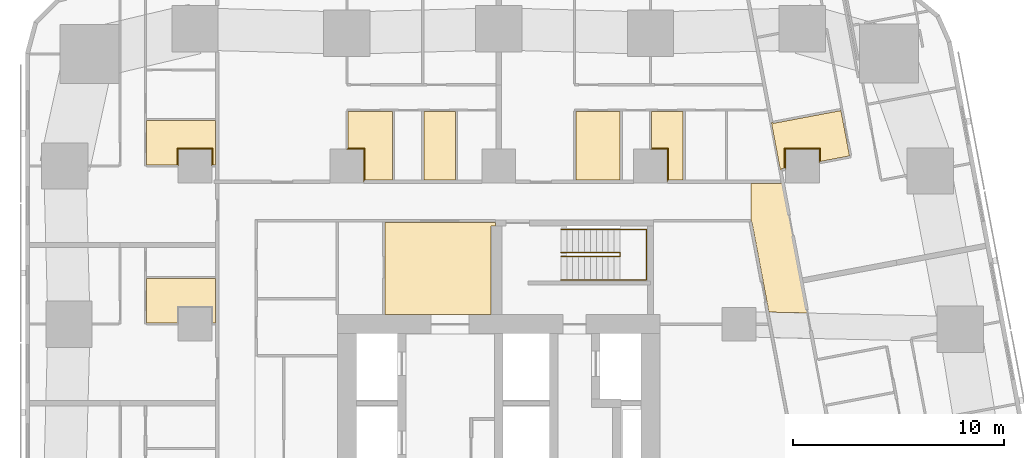
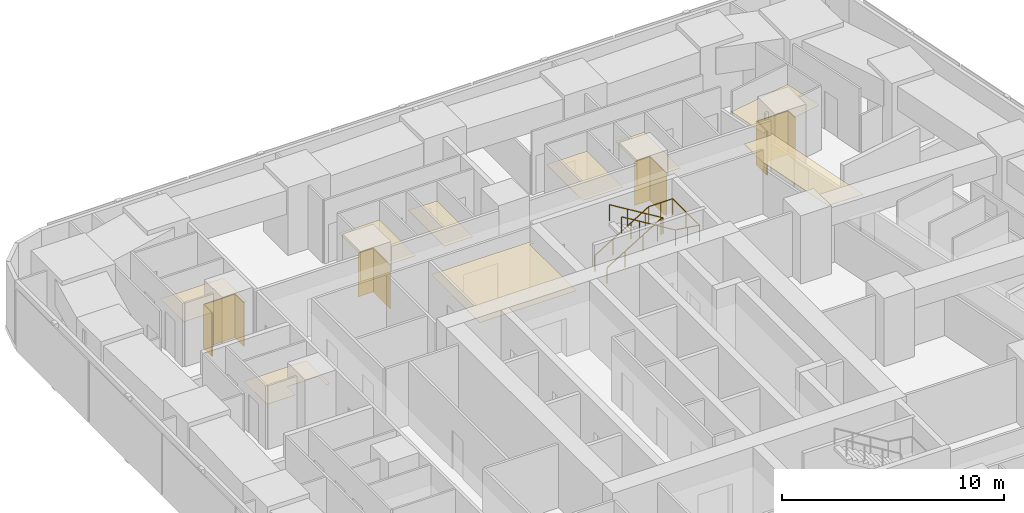
# One storey, part 15 of 15: 13 coverings, 2 railings.
"""IFC4 building model written with IfcOpenShell, lengths in metres."""

from ifc_helpers import new_model, si_unit, direction, frame, origin, origin_2d, place, context, subcontext, project, spatial, polyline, circle, outline, extrude, material, layer, layer_set, type_object, element, save


model = new_model("IFC4")

# Units and contexts
model_context = context("Model", 3, precision=1e-05, world=origin(), true_north=direction((0.0, 1.0)))
body_context = subcontext(model_context, "Body", "Model", "MODEL_VIEW")
ifc_project = project(units=[si_unit("LENGTHUNIT", "METRE"), si_unit("AREAUNIT", "SQUARE_METRE"), si_unit("VOLUMEUNIT", "CUBIC_METRE"), si_unit("PLANEANGLEUNIT", "RADIAN"), si_unit("MASSUNIT", "GRAM", prefix="KILO")], contexts=[model_context])

# Site, building, storey
site_placement = place(None, origin())
site = spatial("IfcSite", under=ifc_project, at=site_placement, CompositionType="ELEMENT")
building_placement = place(site_placement, origin())
building = spatial("IfcBuilding", under=site, at=building_placement, Name="Sheger Commons Tower", CompositionType="ELEMENT")
storey_placement = place(building_placement, frame((0.0, 0.0, 104.14990234375)))
storey = spatial("IfcBuildingStorey", under=building, at=storey_placement, Name="L26", CompositionType="ELEMENT", Elevation=104.14990234375)

# Railings
ifc_material_1 = material(Name="Steel handrail, black powder-coated", Category="steel")
railing_type = type_object("IfcRailingType", Name="HANDRAIL 900", PredefinedType="HANDRAIL", material=ifc_material_1)
railing_1_placement = place(storey_placement, frame((24.550048828125, 33.39990234375, 0.170654296875)))
element("IfcRailing", 1, at=railing_1_placement, inside=storey, type_object=railing_type, Name="Stair S2 handrail L26", PredefinedType="HANDRAIL", context=body_context, shape_type="SweptSolid", body=[
    extrude(circle(Radius=0.02392578125, at=origin_2d()), frame((0.0, 0.0, 0.8759765625), z_axis=(0.854202870247, 0.0, 0.519939858505), x_axis=(0.0, 1.0, 0.0)), (0.0, 0.0, 1.0), 3.278076171875),
    extrude(circle(Radius=0.02392578125, at=origin_2d()), frame((2.800048828125, 0.0, 2.580078125), z_axis=(0.0, -0.760631612298, 0.649183757016), x_axis=(1.0, 0.0, 0.0)), (0.0, 0.0, 1.0), 0.262939453125),
    extrude(circle(Radius=0.02392578125, at=origin_2d()), frame((2.800048828125, -0.199951171875, 2.7509765625), z_axis=(-0.854202870247, 0.0, 0.519939858505), x_axis=(0.0, -1.0, 0.0)), (0.0, 0.0, 1.0), 3.278076171875),
    extrude(circle(Radius=0.02099609375, at=origin_2d()), origin(), (0.0, 0.0, 1.0), 0.851806640625),
    extrude(circle(Radius=0.02099609375, at=origin_2d()), frame((0.933349609375, 0.0, 0.568115234375)), (0.0, 0.0, 1.0), 0.851806640625),
    extrude(circle(Radius=0.02099609375, at=origin_2d()), frame((1.86669921875, 0.0, 1.13623046875)), (0.0, 0.0, 1.0), 0.851806640625),
    extrude(circle(Radius=0.02099609375, at=origin_2d()), frame((2.800048828125, 0.0, 1.704345703125)), (0.0, 0.0, 1.0), 0.851806640625),
    extrude(circle(Radius=0.02099609375, at=origin_2d()), frame((2.800048828125, -0.199951171875, 1.875)), (0.0, 0.0, 1.0), 0.851806640625),
    extrude(circle(Radius=0.02099609375, at=origin_2d()), frame((1.86669921875, -0.199951171875, 2.443115234375)), (0.0, 0.0, 1.0), 0.851806640625),
    extrude(circle(Radius=0.02099609375, at=origin_2d()), frame((0.933349609375, -0.199951171875, 3.01123046875)), (0.0, 0.0, 1.0), 0.851806640625),
    extrude(circle(Radius=0.02099609375, at=origin_2d()), frame((0.0, -0.199951171875, 3.579345703125)), (0.0, 0.0, 1.0), 0.851806640625),
])
railing_2_placement = place(storey_placement, frame((24.550048828125, 34.5, 0.170654296875)))
element("IfcRailing", 2, at=railing_2_placement, inside=storey, type_object=railing_type, Name="Stair S2 handrail L26", PredefinedType="HANDRAIL", context=body_context, shape_type="SweptSolid", body=[
    extrude(circle(Radius=0.02392578125, at=origin_2d()), frame((0.0, 0.0, 0.8759765625), z_axis=(0.854202870247, 0.0, 0.519939858505), x_axis=(0.0, 1.0, 0.0)), (0.0, 0.0, 1.0), 3.278076171875),
    extrude(circle(Radius=0.02392578125, at=origin_2d()), frame((2.800048828125, 0.0, 2.580078125), z_axis=(1.0, 0.0, 0.0), x_axis=(0.0, 1.0, 0.0)), (0.0, 0.0, 1.0), 1.25),
    extrude(circle(Radius=0.02392578125, at=origin_2d()), frame((4.050048828125, 0.0, 2.580078125), z_axis=(0.0, -1.0, 0.0), x_axis=(1.0, 0.0, 0.0)), (0.0, 0.0, 1.0), 2.39990234375),
    extrude(circle(Radius=0.02392578125, at=origin_2d()), frame((4.050048828125, -2.39990234375, 2.580078125), z_axis=(-0.990808959222, 0.0, 0.135268645019), x_axis=(0.0, -1.0, 0.0)), (0.0, 0.0, 1.0), 1.261474609375),
    extrude(circle(Radius=0.02392578125, at=origin_2d()), frame((2.800048828125, -2.39990234375, 2.7509765625), z_axis=(-0.854202870247, 0.0, 0.519939858505), x_axis=(0.0, -1.0, 0.0)), (0.0, 0.0, 1.0), 3.278076171875),
    extrude(circle(Radius=0.02099609375, at=origin_2d()), origin(), (0.0, 0.0, 1.0), 0.851806640625),
    extrude(circle(Radius=0.02099609375, at=origin_2d()), frame((0.933349609375, 0.0, 0.568115234375)), (0.0, 0.0, 1.0), 0.851806640625),
    extrude(circle(Radius=0.02099609375, at=origin_2d()), frame((1.86669921875, 0.0, 1.13623046875)), (0.0, 0.0, 1.0), 0.851806640625),
    extrude(circle(Radius=0.02099609375, at=origin_2d()), frame((2.800048828125, 0.0, 1.704345703125)), (0.0, 0.0, 1.0), 0.851806640625),
    extrude(circle(Radius=0.02099609375, at=origin_2d()), frame((3.425048828125, 0.0, 1.704345703125)), (0.0, 0.0, 1.0), 0.851806640625),
    extrude(circle(Radius=0.02099609375, at=origin_2d()), frame((4.050048828125, 0.0, 1.704345703125)), (0.0, 0.0, 1.0), 0.851806640625),
    extrude(circle(Radius=0.02099609375, at=origin_2d()), frame((4.050048828125, -1.199951171875, 1.704345703125)), (0.0, 0.0, 1.0), 0.851806640625),
    extrude(circle(Radius=0.02099609375, at=origin_2d()), frame((4.050048828125, -2.39990234375, 1.704345703125)), (0.0, 0.0, 1.0), 0.851806640625),
    extrude(circle(Radius=0.02099609375, at=origin_2d()), frame((3.425048828125, -2.39990234375, 1.78955078125)), (0.0, 0.0, 1.0), 0.851806640625),
    extrude(circle(Radius=0.02099609375, at=origin_2d()), frame((2.800048828125, -2.39990234375, 1.875)), (0.0, 0.0, 1.0), 0.851806640625),
    extrude(circle(Radius=0.02099609375, at=origin_2d()), frame((1.86669921875, -2.39990234375, 2.443115234375)), (0.0, 0.0, 1.0), 0.851806640625),
    extrude(circle(Radius=0.02099609375, at=origin_2d()), frame((0.933349609375, -2.39990234375, 3.01123046875)), (0.0, 0.0, 1.0), 0.851806640625),
    extrude(circle(Radius=0.02099609375, at=origin_2d()), frame((0.0, -2.39990234375, 3.579345703125)), (0.0, 0.0, 1.0), 0.851806640625),
])

# Coverings
ifc_material_2 = material(Name="Moisture-resistant gypsum plasterboard 15 mm on a suspended galvanised steel grid", Category="steel")
ifc_layer_1 = layer(ifc_material_2, 0.014892578125)
ifc_layer_set_1 = layer_set([ifc_layer_1], Name="MOISTURE-RESISTANT CEILING 15")
covering_type_1 = type_object("IfcCoveringType", Name="MOISTURE-RESISTANT CEILING 15", PredefinedType="CEILING", material=ifc_layer_set_1)
covering_1_placement = place(storey_placement, frame((0.0, 0.0, 2.400146484375)))
element("IfcCovering", 3, at=covering_1_placement, inside=storey, type_object=covering_type_1, Name="L26-03.B1 ceiling", PredefinedType="CEILING", context=body_context, shape_type="SweptSolid", body=[
    extrude(outline(polyline([(4.905029296875, 30.054931640625), (6.39501953125, 30.054931640625), (6.39501953125, 30.804931640625), (8.0048828125, 30.804931640625), (8.0048828125, 30.054931640625), (8.169921875, 30.054931640625), (8.169921875, 32.155029296875), (4.905029296875, 32.155029296875), (4.905029296875, 30.054931640625)])), origin(), (0.0, 0.0, 1.0), 0.014892578125),
])
covering_2_placement = place(storey_placement, frame((0.0, 0.0, 2.400146484375)))
element("IfcCovering", 4, at=covering_2_placement, inside=storey, type_object=covering_type_1, Name="L26-04.B1 ceiling", PredefinedType="CEILING", context=body_context, shape_type="SweptSolid", body=[
    extrude(outline(polyline([(4.905029296875, 37.554931640625), (6.39501953125, 37.554931640625), (6.39501953125, 38.304931640625), (8.0048828125, 38.304931640625), (8.0048828125, 37.554931640625), (8.169921875, 37.554931640625), (8.169921875, 39.655029296875), (4.905029296875, 39.655029296875), (4.905029296875, 37.554931640625)])), origin(), (0.0, 0.0, 1.0), 0.014892578125),
])
covering_3_placement = place(storey_placement, frame((0.0, 0.0, 2.400146484375)))
element("IfcCovering", 5, at=covering_3_placement, inside=storey, type_object=covering_type_1, Name="L26-08.B1 ceiling", PredefinedType="CEILING", context=body_context, shape_type="SweptSolid", body=[
    extrude(outline(polyline([(34.9580078125, 37.302978515625), (35.027099609375, 37.31591796875), (35.01708984375, 37.3701171875), (35.18505859375, 37.402099609375), (35.193115234375, 37.35888671875), (35.195068359375, 37.35888671875), (35.195068359375, 38.304931640625), (36.804931640625, 38.304931640625), (36.804931640625, 37.7080078125), (38.23388671875, 37.97900390625), (37.827880859375, 40.126953125), (34.611083984375, 39.52001953125), (34.60107421875, 39.573974609375), (34.531982421875, 39.56103515625), (34.9580078125, 37.302978515625)])), origin(), (0.0, 0.0, 1.0), 0.014892578125),
])
covering_4_placement = place(storey_placement, frame((0.0, 0.0, 2.400146484375)))
element("IfcCovering", 6, at=covering_4_placement, inside=storey, type_object=covering_type_1, Name="L26-12.B1 ceiling", PredefinedType="CEILING", context=body_context, shape_type="SweptSolid", body=[
    extrude(outline(polyline([(15.205078125, 36.830078125), (16.554931640625, 36.830078125), (16.554931640625, 40.094970703125), (14.455078125, 40.094970703125), (14.455078125, 38.304931640625), (15.205078125, 38.304931640625), (15.205078125, 36.830078125)])), origin(), (0.0, 0.0, 1.0), 0.014892578125),
])
covering_5_placement = place(storey_placement, frame((0.0, 0.0, 2.400146484375)))
element("IfcCovering", 7, at=covering_5_placement, inside=storey, type_object=covering_type_1, Name="L26-12.B2 ceiling", PredefinedType="CEILING", context=body_context, shape_type="SweptSolid", body=[
    extrude(outline(polyline([(18.054931640625, 36.830078125), (19.544921875, 36.830078125), (19.544921875, 40.094970703125), (18.054931640625, 40.094970703125), (18.054931640625, 36.830078125)])), origin(), (0.0, 0.0, 1.0), 0.014892578125),
])
covering_6_placement = place(storey_placement, frame((0.0, 0.0, 2.400146484375)))
element("IfcCovering", 8, at=covering_6_placement, inside=storey, type_object=covering_type_1, Name="L26-13.B1 ceiling", PredefinedType="CEILING", context=body_context, shape_type="SweptSolid", body=[
    extrude(outline(polyline([(25.2548828125, 36.830078125), (27.35498046875, 36.830078125), (27.35498046875, 40.094970703125), (25.2548828125, 40.094970703125), (25.2548828125, 36.830078125)])), origin(), (0.0, 0.0, 1.0), 0.014892578125),
])
covering_7_placement = place(storey_placement, frame((0.0, 0.0, 2.400146484375)))
element("IfcCovering", 9, at=covering_7_placement, inside=storey, type_object=covering_type_1, Name="L26-13.B2 ceiling", PredefinedType="CEILING", context=body_context, shape_type="SweptSolid", body=[
    extrude(outline(polyline([(29.60498046875, 36.830078125), (30.344970703125, 36.830078125), (30.344970703125, 40.094970703125), (28.85498046875, 40.094970703125), (28.85498046875, 38.304931640625), (29.60498046875, 38.304931640625), (29.60498046875, 36.830078125)])), origin(), (0.0, 0.0, 1.0), 0.014892578125),
])
ifc_material_3 = material(Name="Gypsum plasterboard 15 mm on a suspended steel grid", Category="steel")
ifc_layer_2 = layer(ifc_material_3, 0.014892578125)
ifc_layer_set_2 = layer_set([ifc_layer_2], Name="SUSPENDED CEILING 15")
covering_type_2 = type_object("IfcCoveringType", Name="SUSPENDED CEILING 15", PredefinedType="CEILING", material=ifc_layer_set_2)
covering_8_placement = place(storey_placement, frame((0.0, 0.0, 2.7001953125)))
element("IfcCovering", 10, at=covering_8_placement, inside=storey, type_object=covering_type_2, Name="L26-CO ceiling", PredefinedType="CEILING", context=body_context, shape_type="SweptSolid", body=[
    extrude(outline(polyline([(36.237060546875, 30.531982421875), (35.06201171875, 36.75), (34.97802734375, 36.75), (34.97802734375, 36.669921875), (33.572998046875, 36.669921875), (33.572998046875, 34.947998046875), (33.571044921875, 34.947998046875), (33.589111328125, 34.85205078125), (33.60595703125, 34.85498046875), (34.4150390625, 30.572998046875), (36.237060546875, 30.531982421875)])), origin(), (0.0, 0.0, 1.0), 0.014892578125),
])
covering_9_placement = place(storey_placement, frame((0.0, 0.0, 2.7001953125)))
element("IfcCovering", 11, at=covering_9_placement, inside=storey, type_object=covering_type_2, Name="L26-SVN1 ceiling", PredefinedType="CEILING", context=body_context, shape_type="SweptSolid", body=[
    extrude(outline(polyline([(16.217041015625, 30.455078125), (21.2451171875, 30.455078125), (21.2451171875, 34.655029296875), (21.445068359375, 34.655029296875), (21.445068359375, 34.83203125), (16.217041015625, 34.83203125), (16.217041015625, 30.455078125)])), origin(), (0.0, 0.0, 1.0), 0.014892578125),
])
ifc_material_4 = material(Name="Moisture-resistant gypsum board 12.5 mm on 25 mm treated timber battens, tanked and tiled", Category="wood")
ifc_layer_3 = layer(ifc_material_4, 0.050048828125)
ifc_layer_set_3 = layer_set([ifc_layer_3], Name="WET-ROOM COLUMN LINING")
covering_type_3 = type_object("IfcCoveringType", Name="WET-ROOM COLUMN LINING", PredefinedType="CLADDING", material=ifc_layer_set_3)
covering_10_placement = place(storey_placement, origin())
element("IfcCovering", 12, at=covering_10_placement, inside=storey, type_object=covering_type_3, Name="Bathroom column lining C9 L26", PredefinedType="CLADDING", context=body_context, shape_type="SweptSolid", body=[
    extrude(outline(polyline([(8.050048828125, 38.35009765625), (8.050048828125, 37.550048828125), (8.0009765625, 37.550048828125), (8.0009765625, 37.5), (8.0, 37.5), (8.0, 38.300048828125), (6.39990234375, 38.300048828125), (6.39990234375, 37.5), (6.39892578125, 37.5), (6.39892578125, 37.550048828125), (6.35009765625, 37.550048828125), (6.35009765625, 38.35009765625), (8.050048828125, 38.35009765625)])), origin(), (0.0, 0.0, 1.0), 2.400146484375),
])
covering_11_placement = place(storey_placement, origin())
element("IfcCovering", 13, at=covering_11_placement, inside=storey, type_object=covering_type_3, Name="Bathroom column lining C9 L26", PredefinedType="CLADDING", context=body_context, shape_type="SweptSolid", body=[
    extrude(outline(polyline([(15.25, 36.824951171875), (15.200927734375, 36.824951171875), (15.200927734375, 36.75), (15.199951171875, 36.75), (15.199951171875, 38.300048828125), (14.39990234375, 38.300048828125), (14.39990234375, 38.301025390625), (14.449951171875, 38.301025390625), (14.449951171875, 38.35009765625), (15.25, 38.35009765625), (15.25, 36.824951171875)])), origin(), (0.0, 0.0, 1.0), 2.400146484375),
])
covering_12_placement = place(storey_placement, origin())
element("IfcCovering", 14, at=covering_12_placement, inside=storey, type_object=covering_type_3, Name="Shower room column lining C9 L26", PredefinedType="CLADDING", context=body_context, shape_type="SweptSolid", body=[
    extrude(outline(polyline([(29.64990234375, 36.824951171875), (29.60107421875, 36.824951171875), (29.60107421875, 36.75), (29.60009765625, 36.75), (29.60009765625, 38.300048828125), (28.800048828125, 38.300048828125), (28.800048828125, 38.301025390625), (28.85009765625, 38.301025390625), (28.85009765625, 38.35009765625), (29.64990234375, 38.35009765625), (29.64990234375, 36.824951171875)])), origin(), (0.0, 0.0, 1.0), 2.400146484375),
])
covering_13_placement = place(storey_placement, origin())
element("IfcCovering", 15, at=covering_13_placement, inside=storey, type_object=covering_type_3, Name="Bathroom column lining C9 L26", PredefinedType="CLADDING", context=body_context, shape_type="SweptSolid", body=[
    extrude(outline(polyline([(36.85009765625, 38.35009765625), (36.85009765625, 37.7109375), (36.801025390625, 37.701904296875), (36.81005859375, 37.653076171875), (36.800048828125, 37.65087890625), (36.800048828125, 38.300048828125), (35.199951171875, 38.300048828125), (35.199951171875, 37.34912109375), (35.18994140625, 37.346923828125), (35.180908203125, 37.39599609375), (35.14990234375, 37.389892578125), (35.14990234375, 38.35009765625), (36.85009765625, 38.35009765625)])), origin(), (0.0, 0.0, 1.0), 2.400146484375),
])

save(model, "model.ifc")
